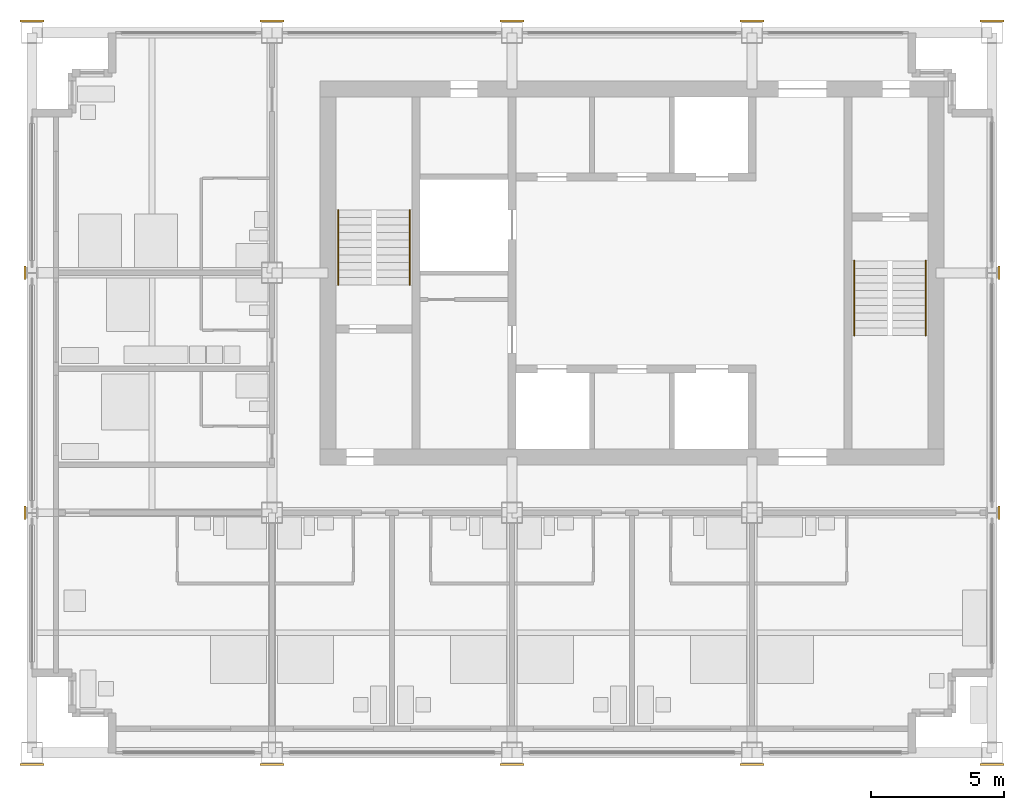
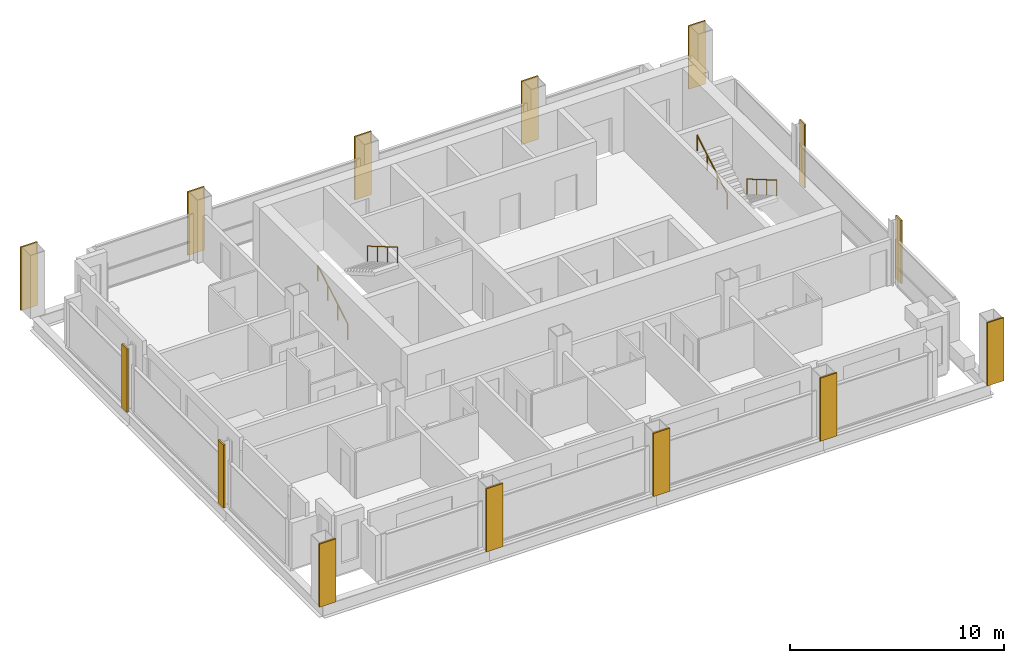
# One storey, part 10 of 12: 14 coverings, 4 railings.
"""IFC4 building model written with IfcOpenShell, lengths in metres."""

from ifc_helpers import new_model, si_unit, direction, frame, origin, origin_2d, place, context, subcontext, project, spatial, rectangle, circle, extrude, material, layer, layer_set, type_object, element, save


model = new_model("IFC4")

# Units and contexts
model_context = context("Model", 3, precision=1e-05, world=origin(), true_north=direction((0.0, 1.0)))
body_context = subcontext(model_context, "Body", "Model", "MODEL_VIEW")
ifc_project = project(units=[si_unit("LENGTHUNIT", "METRE"), si_unit("AREAUNIT", "SQUARE_METRE"), si_unit("VOLUMEUNIT", "CUBIC_METRE"), si_unit("PLANEANGLEUNIT", "RADIAN"), si_unit("MASSUNIT", "GRAM", prefix="KILO")], contexts=[model_context])

# Site, building, storey
site_placement = place(None, origin())
site = spatial("IfcSite", under=ifc_project, at=site_placement, CompositionType="ELEMENT")
building_placement = place(site_placement, origin())
building = spatial("IfcBuilding", under=site, at=building_placement, Name="Loomwork Tower", CompositionType="ELEMENT")
storey_placement = place(building_placement, frame((0.0, 0.0, 251.800048828125)))
storey = spatial("IfcBuildingStorey", under=building, at=storey_placement, Name="L69", CompositionType="ELEMENT", Elevation=251.800048828125)

# Railings
ifc_material_1 = material(Name="Stainless steel handrail", Category="steel")
railing_type = type_object("IfcRailingType", Name="Handrail 900", PredefinedType="HANDRAIL", material=ifc_material_1)
railing_1_placement = place(storey_placement, frame((11.485107421875, 17.550048828125, 0.16357421875)))
element("IfcRailing", 1, at=railing_1_placement, inside=storey, type_object=railing_type, Name="Stair A handrail flight 1 L69", PredefinedType="HANDRAIL", context=body_context, shape_type="SweptSolid", body=[
    extrude(circle(Radius=0.02392578125, at=origin_2d()), frame((0.0, 0.0, 0.8759765625), z_axis=(0.0, 0.863360870873, 0.504586966384), x_axis=(-1.0, 0.0, 0.0)), (0.0, 0.0, 1.0), 3.2431640625),
    extrude(circle(Radius=0.02099609375, at=origin_2d()), origin(), (0.0, 0.0, 1.0), 0.851806640625),
    extrude(circle(Radius=0.02099609375, at=origin_2d()), frame((0.0, 0.933349609375, 0.54541015625)), (0.0, 0.0, 1.0), 0.851806640625),
    extrude(circle(Radius=0.02099609375, at=origin_2d()), frame((0.0, 1.86669921875, 1.091064453125)), (0.0, 0.0, 1.0), 0.851806640625),
    extrude(circle(Radius=0.02099609375, at=origin_2d()), frame((0.0, 2.800048828125, 1.636474609375)), (0.0, 0.0, 1.0), 0.851806640625),
])
railing_2_placement = place(storey_placement, frame((14.1650390625, 20.35009765625, 1.963623046875)))
element("IfcRailing", 2, at=railing_2_placement, inside=storey, type_object=railing_type, Name="Stair A handrail flight 2 L69", PredefinedType="HANDRAIL", context=body_context, shape_type="SweptSolid", body=[
    extrude(circle(Radius=0.02392578125, at=origin_2d()), frame((0.0, 0.0, 0.8759765625), z_axis=(0.0, -0.863393664356, 0.504530851732), x_axis=(1.0, 0.0, 0.0)), (0.0, 0.0, 1.0), 3.2431640625),
    extrude(circle(Radius=0.02099609375, at=origin_2d()), origin(), (0.0, 0.0, 1.0), 0.851806640625),
    extrude(circle(Radius=0.02099609375, at=origin_2d()), frame((0.0, -0.933349609375, 0.54541015625)), (0.0, 0.0, 1.0), 0.851806640625),
    extrude(circle(Radius=0.02099609375, at=origin_2d()), frame((0.0, -1.86669921875, 1.0908203125)), (0.0, 0.0, 1.0), 0.851806640625),
    extrude(circle(Radius=0.02099609375, at=origin_2d()), frame((0.0, -2.800048828125, 1.63623046875)), (0.0, 0.0, 1.0), 0.851806640625),
])
railing_3_placement = place(storey_placement, frame((33.514892578125, 18.449951171875, 0.16357421875)))
element("IfcRailing", 3, at=railing_3_placement, inside=storey, type_object=railing_type, Name="Stair B handrail flight 1 L69", PredefinedType="HANDRAIL", context=body_context, shape_type="SweptSolid", body=[
    extrude(circle(Radius=0.02392578125, at=origin_2d()), frame((0.0, 0.0, 0.8759765625), z_axis=(0.0, -0.863360870873, 0.504586966384), x_axis=(1.0, 0.0, 0.0)), (0.0, 0.0, 1.0), 3.2431640625),
    extrude(circle(Radius=0.02099609375, at=origin_2d()), origin(), (0.0, 0.0, 1.0), 0.851806640625),
    extrude(circle(Radius=0.02099609375, at=origin_2d()), frame((0.0, -0.933349609375, 0.54541015625)), (0.0, 0.0, 1.0), 0.851806640625),
    extrude(circle(Radius=0.02099609375, at=origin_2d()), frame((0.0, -1.86669921875, 1.091064453125)), (0.0, 0.0, 1.0), 0.851806640625),
    extrude(circle(Radius=0.02099609375, at=origin_2d()), frame((0.0, -2.800048828125, 1.636474609375)), (0.0, 0.0, 1.0), 0.851806640625),
])
railing_4_placement = place(storey_placement, frame((30.8349609375, 15.64990234375, 1.963623046875)))
element("IfcRailing", 4, at=railing_4_placement, inside=storey, type_object=railing_type, Name="Stair B handrail flight 2 L69", PredefinedType="HANDRAIL", context=body_context, shape_type="SweptSolid", body=[
    extrude(circle(Radius=0.02392578125, at=origin_2d()), frame((0.0, 0.0, 0.8759765625), z_axis=(0.0, 0.863393664356, 0.504530851732), x_axis=(-1.0, 0.0, 0.0)), (0.0, 0.0, 1.0), 3.2431640625),
    extrude(circle(Radius=0.02099609375, at=origin_2d()), origin(), (0.0, 0.0, 1.0), 0.851806640625),
    extrude(circle(Radius=0.02099609375, at=origin_2d()), frame((0.0, 0.933349609375, 0.54541015625)), (0.0, 0.0, 1.0), 0.851806640625),
    extrude(circle(Radius=0.02099609375, at=origin_2d()), frame((0.0, 1.86669921875, 1.0908203125)), (0.0, 0.0, 1.0), 0.851806640625),
    extrude(circle(Radius=0.02099609375, at=origin_2d()), frame((0.0, 2.800048828125, 1.63623046875)), (0.0, 0.0, 1.0), 0.851806640625),
])

# Coverings
ifc_material_2 = material(Name="Limestone", Category="masonry")
ifc_layer = layer(ifc_material_2, 0.080078125)
ifc_layer_set = layer_set([ifc_layer], Name="Limestone pier facing 80")
covering_type = type_object("IfcCoveringType", Name="Limestone pier facing 80", PredefinedType="CLADDING", material=ifc_layer_set)
covering_1_placement = place(storey_placement, frame((0.0, -0.43994140625, 0.0), z_axis=(0.0, 0.0, 1.0), x_axis=(1.0, 0.0, 0.0)))
element("IfcCovering", 5, at=covering_1_placement, inside=storey, type_object=covering_type, Name="Pier facing D/2 L69", PredefinedType="CLADDING", context=body_context, shape_type="SweptSolid", body=[
    extrude(rectangle(XDim=0.89990234375, YDim=0.080078125, at=origin_2d()), origin(), (0.0, 0.0, 1.0), 3.60009765625),
])
for number, where, z_axis, x_axis, name in (
    (6, (-0.26220703125, 9.0, 0.0), (0.0, 0.0, 1.0), (1.0, 0.0, 0.0), "Pier facing E/2 L69"),
    (7, (-0.26220703125, 18.0, 0.0), (0.0, 0.0, 1.0), (1.0, 0.0, 0.0), "Pier facing F/2 L69"),
):
    element("IfcCovering", number, at=place(storey_placement, frame(where, z_axis=z_axis, x_axis=x_axis)), inside=storey, type_object=covering_type, Name=name, PredefinedType="CLADDING", context=body_context, shape_type="SweptSolid", body=[
        extrude(rectangle(XDim=0.080078125, YDim=0.5166015625, at=origin_2d()), origin(), (0.0, 0.0, 1.0), 3.60009765625),
    ])
for number, where, z_axis, x_axis, name in (
    (8, (0.0, 27.43994140625, 0.0), (0.0, 0.0, 1.0), (1.0, 0.0, 0.0), "Pier facing G/2 L69"),
    (9, (9.0, -0.43994140625, 0.0), (0.0, 0.0, 1.0), (1.0, 0.0, 0.0), "Pier facing D/3 L69"),
    (10, (9.0, 27.43994140625, 0.0), (0.0, 0.0, 1.0), (1.0, 0.0, 0.0), "Pier facing G/3 L69"),
    (11, (18.0, -0.43994140625, 0.0), (0.0, 0.0, 1.0), (1.0, 0.0, 0.0), "Pier facing D/4 L69"),
    (12, (18.0, 27.43994140625, 0.0), (0.0, 0.0, 1.0), (1.0, 0.0, 0.0), "Pier facing G/4 L69"),
    (13, (27.0, -0.43994140625, 0.0), (0.0, 0.0, 1.0), (1.0, 0.0, 0.0), "Pier facing D/5 L69"),
    (14, (27.0, 27.43994140625, 0.0), (0.0, 0.0, 1.0), (1.0, 0.0, 0.0), "Pier facing G/5 L69"),
    (15, (36.0, -0.43994140625, 0.0), (0.0, 0.0, 1.0), (1.0, 0.0, 0.0), "Pier facing D/6 L69"),
):
    element("IfcCovering", number, at=place(storey_placement, frame(where, z_axis=z_axis, x_axis=x_axis)), inside=storey, type_object=covering_type, Name=name, PredefinedType="CLADDING", context=body_context, shape_type="SweptSolid", body=[
        extrude(rectangle(XDim=0.89990234375, YDim=0.080078125, at=origin_2d()), origin(), (0.0, 0.0, 1.0), 3.60009765625),
    ])
for number, where, z_axis, x_axis, name in (
    (16, (36.26220703125, 9.0, 0.0), (0.0, 0.0, 1.0), (1.0, 0.0, 0.0), "Pier facing E/6 L69"),
    (17, (36.26220703125, 18.0, 0.0), (0.0, 0.0, 1.0), (1.0, 0.0, 0.0), "Pier facing F/6 L69"),
):
    element("IfcCovering", number, at=place(storey_placement, frame(where, z_axis=z_axis, x_axis=x_axis)), inside=storey, type_object=covering_type, Name=name, PredefinedType="CLADDING", context=body_context, shape_type="SweptSolid", body=[
        extrude(rectangle(XDim=0.080078125, YDim=0.5166015625, at=origin_2d()), origin(), (0.0, 0.0, 1.0), 3.60009765625),
    ])
covering_2_placement = place(storey_placement, frame((36.0, 27.43994140625, 0.0), z_axis=(0.0, 0.0, 1.0), x_axis=(1.0, 0.0, 0.0)))
element("IfcCovering", 18, at=covering_2_placement, inside=storey, type_object=covering_type, Name="Pier facing G/6 L69", PredefinedType="CLADDING", context=body_context, shape_type="SweptSolid", body=[
    extrude(rectangle(XDim=0.89990234375, YDim=0.080078125, at=origin_2d()), origin(), (0.0, 0.0, 1.0), 3.60009765625),
])

save(model, "model.ifc")
